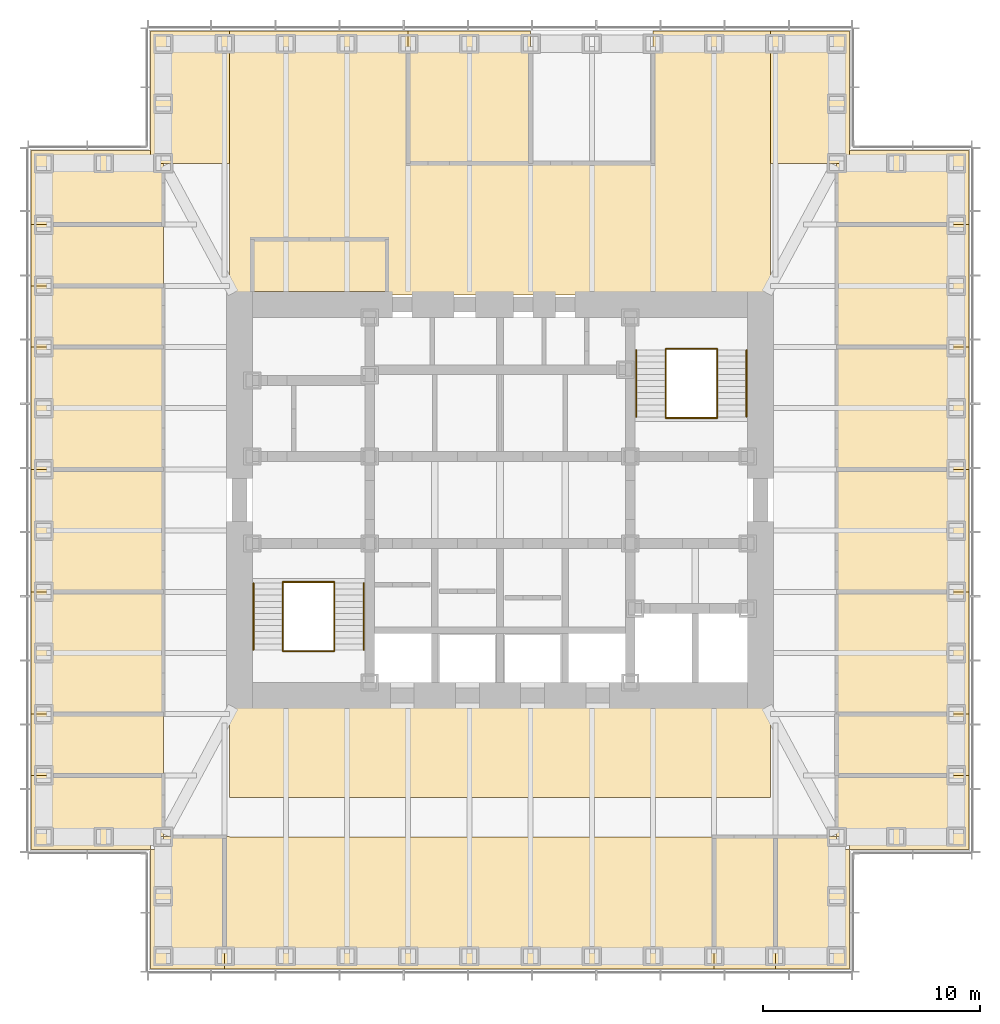
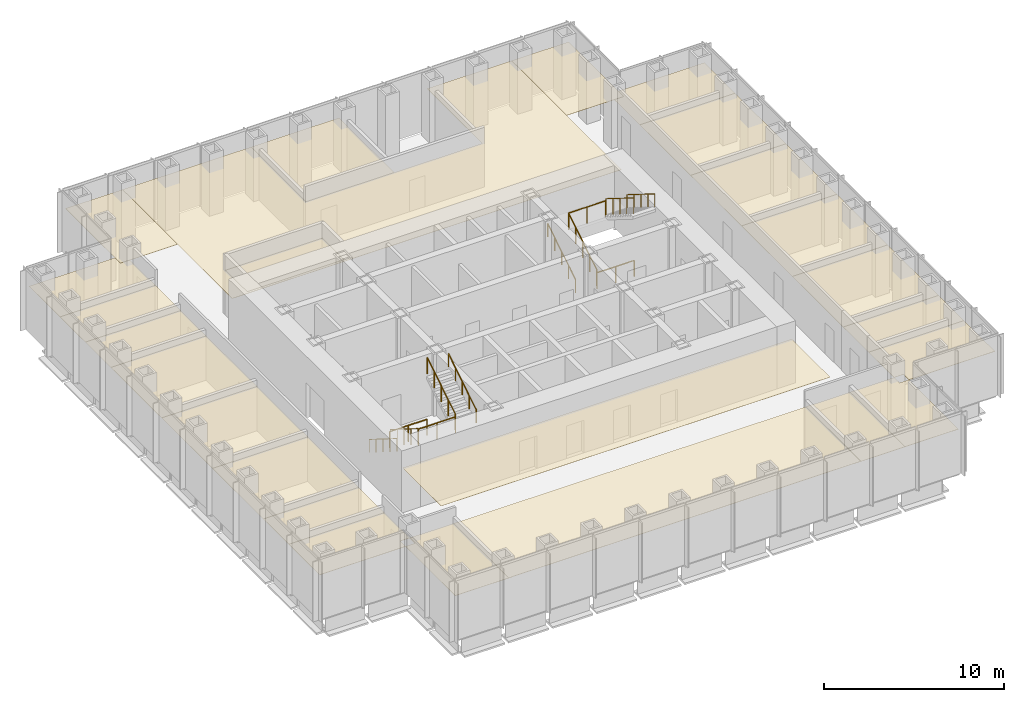
# One storey, part 17 of 17: 25 coverings, 12 railings.
"""IFC4 building model written with IfcOpenShell, lengths in metres."""

import ifcopenshell
import ifcopenshell.guid

model = None  # the IFC model being written
_history = None  # IfcOwnerHistory: only IFC2X3 demands one
_inside = {}  # id of a spatial element -> (the spatial element, [elements in it])
_under = {}  # id of a project, library or spatial element -> (it, [spatial elements below it])
_declared = {}  # id of a project -> (the project, [libraries it declares])
_typed = {}  # id of a type object -> (the type object, [elements of that type])
_made_of = {}  # id of a material, layer set ... -> (it, [elements and type objects made of it])


def new_model(schema):
    """Start an empty IFC model of exactly this schema.

    Asked for "IFC4X3", IfcOpenShell would pick the latest addendum, in which some entities
    have other attributes; the version numbers below select the first issue.
    IFC2X3 requires an IfcOwnerHistory on every rooted entity: one is made here for all.
    """
    global model, _history
    if schema == "IFC4X3":
        model = ifcopenshell.file(schema_version=(4, 3, 0, 0))
    else:
        model = ifcopenshell.file(schema=schema)
    _inside.clear()
    _under.clear()
    _declared.clear()
    _typed.clear()
    _made_of.clear()
    _history = None
    if model.schema == "IFC2X3":
        org = make("IfcOrganization", Name="unknown")
        user = make(
            "IfcPersonAndOrganization",
            ThePerson=make("IfcPerson", FamilyName="unknown"),
            TheOrganization=org,
        )
        app = make(
            "IfcApplication",
            ApplicationDeveloper=org,
            Version="unknown",
            ApplicationFullName="unknown",
            ApplicationIdentifier="unknown",
        )
        _history = make(
            "IfcOwnerHistory",
            OwningUser=user,
            OwningApplication=app,
            ChangeAction="ADDED",
            CreationDate=0,
        )
    return model


def make(cls, **values):
    """One entity of the class cls with the attributes given. An attribute that is None is left unset."""
    return model.create_entity(
        cls, **{name: value for name, value in values.items() if value is not None}
    )


def rooted(cls, **values):
    """An entity with a GlobalId (a new one), such as an element, a storey or a relation."""
    return make(cls, GlobalId=ifcopenshell.guid.new(), OwnerHistory=_history, **values)


def si_unit(unit_type, name, prefix=None):
    """IfcSIUnit, for example si_unit("LENGTHUNIT", "METRE", prefix="MILLI")."""
    return make("IfcSIUnit", UnitType=unit_type, Prefix=prefix, Name=name)


def assignment(units):
    """IfcUnitAssignment: the units of a project."""
    return None if units is None else make("IfcUnitAssignment", Units=units)


def point(xyz):
    """IfcCartesianPoint."""
    return None if xyz is None else make("IfcCartesianPoint", Coordinates=xyz)


def direction(xyz):
    """IfcDirection."""
    return None if xyz is None else make("IfcDirection", DirectionRatios=xyz)


def frame(location, z_axis=None, x_axis=None):
    """IfcAxis2Placement3D, a coordinate frame: its origin and axes. An axis left out is left unset."""
    return make(
        "IfcAxis2Placement3D",
        Location=point(location),
        Axis=direction(z_axis),
        RefDirection=direction(x_axis),
    )


def frame_2d(location, x_axis=None):
    """IfcAxis2Placement2D, a coordinate frame in the plane: its origin and x axis."""
    return make(
        "IfcAxis2Placement2D", Location=point(location), RefDirection=direction(x_axis)
    )


def origin():
    """The frame at (0, 0, 0) with its axes left unset."""
    return frame((0.0, 0.0, 0.0))


def origin_2d():
    """The frame at (0, 0) in the plane with its x axis left unset."""
    return frame_2d((0.0, 0.0))


def place(relative_to, where):
    """IfcLocalPlacement: puts the frame where relative to a parent placement (None: the world)."""
    return make(
        "IfcLocalPlacement", PlacementRelTo=relative_to, RelativePlacement=where
    )


def context(
    kind, dimensions, precision=None, world=None, true_north=None, identifier=None
):
    """IfcGeometricRepresentationContext, for example the 3D "Model" context."""
    return make(
        "IfcGeometricRepresentationContext",
        ContextIdentifier=identifier,
        ContextType=kind,
        CoordinateSpaceDimension=dimensions,
        Precision=precision,
        WorldCoordinateSystem=world,
        TrueNorth=true_north,
    )


def subcontext(parent, identifier, kind, view, scale=None):
    """IfcGeometricRepresentationSubContext, for example "Body" below "Model"."""
    return make(
        "IfcGeometricRepresentationSubContext",
        ContextIdentifier=identifier,
        ContextType=kind,
        ParentContext=parent,
        TargetScale=scale,
        TargetView=view,
    )


def project(units=None, contexts=None):
    """IfcProject with its units and contexts."""
    return rooted(
        "IfcProject",
        Name="project",
        RepresentationContexts=contexts,
        UnitsInContext=assignment(units),
    )


def spatial(cls, under=None, at=None, **own):
    """A site, building, storey or space (cls), placed at a placement, below another one or the project."""
    s = rooted(cls, ObjectPlacement=at, **own)
    if under is not None:
        _under.setdefault(under.id(), (under, []))[1].append(s)
    return s


def polyline(points):
    """IfcPolyline through the points."""
    return make("IfcPolyline", Points=[point(p) for p in points])


def profile(cls, at=None, kind="AREA", **sizes):
    """A parametric profile (cls). Its sizes go by their IFC names, for example OverallWidth=200.0."""
    return make(cls, ProfileType=kind, Position=at, **sizes)


def circle(**sizes):
    """IfcCircleProfileDef."""
    return profile("IfcCircleProfileDef", **sizes)


def outline(outer, holes=None, kind="AREA"):
    """IfcArbitraryClosedProfileDef: a profile drawn as a closed curve; with holes, ...WithVoids."""
    if holes is None:
        return make("IfcArbitraryClosedProfileDef", ProfileType=kind, OuterCurve=outer)
    return make(
        "IfcArbitraryProfileDefWithVoids",
        ProfileType=kind,
        OuterCurve=outer,
        InnerCurves=holes,
    )


def extrude(swept, where, along, depth):
    """IfcExtrudedAreaSolid: the profile swept, set in the frame where, extruded along a direction by depth."""
    return make(
        "IfcExtrudedAreaSolid",
        SweptArea=swept,
        Position=where,
        ExtrudedDirection=direction(along),
        Depth=depth,
    )


def shape(context_of_items, identifier, shape_type, items):
    """IfcShapeRepresentation: the items that make up one representation, for example the "Body"."""
    return make(
        "IfcShapeRepresentation",
        ContextOfItems=context_of_items,
        RepresentationIdentifier=identifier,
        RepresentationType=shape_type,
        Items=items,
    )


def material(Name=None, Category=None):
    """IfcMaterial."""
    return make("IfcMaterial", Name=Name, Category=Category)


def layer(
    of_material, thickness, ventilated=None, Name=None, Category=None, Priority=None
):
    """IfcMaterialLayer: one layer of a wall or slab, of a material (None: an air gap)."""
    return make(
        "IfcMaterialLayer",
        Material=of_material,
        LayerThickness=thickness,
        IsVentilated=ventilated,
        Name=Name,
        Category=Category,
        Priority=Priority,
    )


def layer_set(layers, Name=None):
    """IfcMaterialLayerSet."""
    return make("IfcMaterialLayerSet", MaterialLayers=layers, LayerSetName=Name)


def made_of(thing, what):
    """Note that an element or type object is made of a material, layer set ...; save() writes the relation."""
    if what is not None:
        _made_of.setdefault(what.id(), (what, []))[1].append(thing)
    return thing


def type_object(cls, material=None, **own):
    """A type object (cls), such as IfcWallType, which elements share."""
    return made_of(rooted(cls, **own), material)


def element(
    cls,
    number,
    at=None,
    inside=None,
    cuts=None,
    type_object=None,
    material=None,
    context=None,
    identifier="Body",
    shape_type=None,
    held_by="IfcProductDefinitionShape",
    body=None,
    shapes=None,
    **own,
):
    """One element of the class cls, such as IfcWall. Its Tag is "e" and its number.

    at: its placement. inside: the storey or other place that contains it. cuts: it is an
    opening in that element (IfcRelVoidsElement). A single representation is given by context,
    identifier, shape_type and body (its items); several are given by shapes. held_by: the class
    of the entity that holds the representations. save() writes the other relations.
    """
    e = rooted(cls, Tag="e%d" % number, ObjectPlacement=at, **own)
    if body is not None:
        shapes = [shape(context, identifier, shape_type, body)]
    if shapes is not None:
        e.Representation = make(held_by, Representations=shapes)
    if inside is not None:
        _inside.setdefault(inside.id(), (inside, []))[1].append(e)
    if cuts is not None:
        rooted(
            "IfcRelVoidsElement", RelatingBuildingElement=cuts, RelatedOpeningElement=e
        )
    if type_object is not None:
        _typed.setdefault(type_object.id(), (type_object, []))[1].append(e)
    return made_of(e, material)


def aggregate(whole, parts):
    """IfcRelAggregates: a whole, such as a stair, and the parts it consists of."""
    return rooted("IfcRelAggregates", RelatingObject=whole, RelatedObjects=parts)


def save(model, path):
    """Write the relations noted so far, then the file.

    IfcRelAggregates (storeys below a building ...), IfcRelContainedInSpatialStructure (elements
    in a storey), IfcRelDefinesByType, IfcRelAssociatesMaterial and IfcRelDeclares: one each for
    every whole, place, type object, material and project.
    """
    for whole, parts in _under.values():
        aggregate(whole, parts)
    for where, things in _inside.values():
        rooted(
            "IfcRelContainedInSpatialStructure",
            RelatedElements=things,
            RelatingStructure=where,
        )
    for kind, things in _typed.values():
        rooted("IfcRelDefinesByType", RelatedObjects=things, RelatingType=kind)
    for what, things in _made_of.values():
        rooted("IfcRelAssociatesMaterial", RelatedObjects=things, RelatingMaterial=what)
    for by, libraries in _declared.values():
        rooted("IfcRelDeclares", RelatingContext=by, RelatedDefinitions=libraries)
    model.write(path)


model = new_model("IFC4")

# Units and contexts
model_context = context("Model", 3, precision=1e-05, world=origin(), true_north=direction((0.0, 1.0)))
body_context = subcontext(model_context, "Body", "Model", "MODEL_VIEW")
ifc_project = project(units=[si_unit("LENGTHUNIT", "METRE"), si_unit("AREAUNIT", "SQUARE_METRE"), si_unit("VOLUMEUNIT", "CUBIC_METRE"), si_unit("PLANEANGLEUNIT", "RADIAN"), si_unit("MASSUNIT", "GRAM", prefix="KILO")], contexts=[model_context])

# Site, building, storey
site_placement = place(None, origin())
site = spatial("IfcSite", under=ifc_project, at=site_placement, CompositionType="ELEMENT")
building_placement = place(site_placement, origin())
building = spatial("IfcBuilding", under=site, at=building_placement, Name="Daluyong Arena Tower", CompositionType="ELEMENT")
storey_placement = place(building_placement, frame((0.0, 0.0, 193.89990234375)))
storey = spatial("IfcBuildingStorey", under=building, at=storey_placement, Name="L43", CompositionType="ELEMENT", Elevation=193.89990234375)

# Coverings
ifc_material_1 = material(Name="Mineral fibre ceiling tile", Category="gypsum board")
ifc_layer = layer(ifc_material_1, 0.02001953125)
ifc_layer_set = layer_set([ifc_layer], Name="Mineral fibre ceiling tile")
covering_type = type_object("IfcCoveringType", Name="Office ceiling", PredefinedType="CEILING", material=ifc_layer_set)
covering_1_placement = place(storey_placement, frame((0.0, 0.0, 2.900146484375)))
element("IfcCovering", 1, at=covering_1_placement, inside=storey, type_object=covering_type, Name="ceiling L43-01", PredefinedType="CEILING", context=body_context, shape_type="SweptSolid", body=[
    extrude(outline(polyline([(39.89990234375, 63.89990234375), (39.89990234375, 58.39990234375), (43.318115234375, 58.39990234375), (43.318115234375, 64.5), (40.5, 64.5), (40.5, 63.89990234375), (39.89990234375, 63.89990234375)])), origin(), (0.0, 0.0, 1.0), 0.02001953125),
])
covering_2_placement = place(storey_placement, frame((0.0, 0.0, 2.900146484375)))
element("IfcCovering", 2, at=covering_2_placement, inside=storey, type_object=covering_type, Name="ceiling L43-02", PredefinedType="CEILING", context=body_context, shape_type="SweptSolid", body=[
    extrude(outline(polyline([(65.863525390625, 64.5), (65.863525390625, 58.39990234375), (68.681884765625, 58.39990234375), (68.681884765625, 64.5), (65.863525390625, 64.5)])), origin(), (0.0, 0.0, 1.0), 0.02001953125),
])
covering_3_placement = place(storey_placement, frame((0.0, 0.0, 2.900146484375)))
element("IfcCovering", 3, at=covering_3_placement, inside=storey, type_object=covering_type, Name="ceiling L43-03", PredefinedType="CEILING", context=body_context, shape_type="SweptSolid", body=[
    extrude(outline(polyline([(72.10009765625, 58.39990234375), (72.10009765625, 63.89990234375), (71.5, 63.89990234375), (71.5, 64.5), (68.681884765625, 64.5), (68.681884765625, 58.39990234375), (72.10009765625, 58.39990234375)])), origin(), (0.0, 0.0, 1.0), 0.02001953125),
])
covering_4_placement = place(storey_placement, frame((0.0, 0.0, 2.900146484375)))
element("IfcCovering", 4, at=covering_4_placement, inside=storey, type_object=covering_type, Name="ceiling L43-04", PredefinedType="CEILING", context=body_context, shape_type="SweptSolid", body=[
    extrude(outline(polyline([(72.10009765625, 63.89990234375), (77.60009765625, 63.89990234375), (77.60009765625, 67.318115234375), (71.5, 67.318115234375), (71.5, 64.5), (72.10009765625, 64.5), (72.10009765625, 63.89990234375)])), origin(), (0.0, 0.0, 1.0), 0.02001953125),
])
covering_5_placement = place(storey_placement, frame((0.0, 0.0, 2.900146484375)))
element("IfcCovering", 5, at=covering_5_placement, inside=storey, type_object=covering_type, Name="ceiling L43-05", PredefinedType="CEILING", context=body_context, shape_type="SweptSolid", body=[
    extrude(outline(polyline([(71.5, 67.318115234375), (77.60009765625, 67.318115234375), (77.60009765625, 70.136474609375), (71.5, 70.136474609375), (71.5, 67.318115234375)])), origin(), (0.0, 0.0, 1.0), 0.02001953125),
])
covering_6_placement = place(storey_placement, frame((0.0, 0.0, 2.900146484375)))
element("IfcCovering", 6, at=covering_6_placement, inside=storey, type_object=covering_type, Name="ceiling L43-06", PredefinedType="CEILING", context=body_context, shape_type="SweptSolid", body=[
    extrude(outline(polyline([(71.5, 70.136474609375), (77.60009765625, 70.136474609375), (77.60009765625, 75.772705078125), (71.5, 75.772705078125), (71.5, 70.136474609375)])), origin(), (0.0, 0.0, 1.0), 0.02001953125),
])
covering_7_placement = place(storey_placement, frame((0.0, 0.0, 2.900146484375)))
element("IfcCovering", 7, at=covering_7_placement, inside=storey, type_object=covering_type, Name="ceiling L43-07", PredefinedType="CEILING", context=body_context, shape_type="SweptSolid", body=[
    extrude(outline(polyline([(71.5, 75.772705078125), (77.60009765625, 75.772705078125), (77.60009765625, 81.4091796875), (71.5, 81.4091796875), (71.5, 75.772705078125)])), origin(), (0.0, 0.0, 1.0), 0.02001953125),
])
covering_8_placement = place(storey_placement, frame((0.0, 0.0, 2.900146484375)))
element("IfcCovering", 8, at=covering_8_placement, inside=storey, type_object=covering_type, Name="ceiling L43-08", PredefinedType="CEILING", context=body_context, shape_type="SweptSolid", body=[
    extrude(outline(polyline([(71.5, 81.4091796875), (77.60009765625, 81.4091796875), (77.60009765625, 87.04541015625), (71.5, 87.04541015625), (71.5, 81.4091796875)])), origin(), (0.0, 0.0, 1.0), 0.02001953125),
])
covering_9_placement = place(storey_placement, frame((0.0, 0.0, 2.900146484375)))
element("IfcCovering", 9, at=covering_9_placement, inside=storey, type_object=covering_type, Name="ceiling L43-09", PredefinedType="CEILING", context=body_context, shape_type="SweptSolid", body=[
    extrude(outline(polyline([(71.5, 87.04541015625), (77.60009765625, 87.04541015625), (77.60009765625, 92.681884765625), (71.5, 92.681884765625), (71.5, 87.04541015625)])), origin(), (0.0, 0.0, 1.0), 0.02001953125),
])
covering_10_placement = place(storey_placement, frame((0.0, 0.0, 2.900146484375)))
element("IfcCovering", 10, at=covering_10_placement, inside=storey, type_object=covering_type, Name="ceiling L43-10", PredefinedType="CEILING", context=body_context, shape_type="SweptSolid", body=[
    extrude(outline(polyline([(71.5, 92.681884765625), (77.60009765625, 92.681884765625), (77.60009765625, 96.10009765625), (72.10009765625, 96.10009765625), (72.10009765625, 95.5), (71.5, 95.5), (71.5, 92.681884765625)])), origin(), (0.0, 0.0, 1.0), 0.02001953125),
])
covering_11_placement = place(storey_placement, frame((0.0, 0.0, 2.900146484375)))
element("IfcCovering", 11, at=covering_11_placement, inside=storey, type_object=covering_type, Name="ceiling L43-11", PredefinedType="CEILING", context=body_context, shape_type="SweptSolid", body=[
    extrude(outline(polyline([(57.4091796875, 95.5), (57.4091796875, 101.60009765625), (51.772705078125, 101.60009765625), (51.772705078125, 95.5), (57.4091796875, 95.5)])), origin(), (0.0, 0.0, 1.0), 0.02001953125),
])
covering_12_placement = place(storey_placement, frame((0.0, 0.0, 2.900146484375)))
element("IfcCovering", 12, at=covering_12_placement, inside=storey, type_object=covering_type, Name="ceiling L43-13", PredefinedType="CEILING", context=body_context, shape_type="SweptSolid", body=[
    extrude(outline(polyline([(34.39990234375, 63.89990234375), (39.89990234375, 63.89990234375), (39.89990234375, 64.5), (40.5, 64.5), (40.5, 67.318115234375), (34.39990234375, 67.318115234375), (34.39990234375, 63.89990234375)])), origin(), (0.0, 0.0, 1.0), 0.02001953125),
])
covering_13_placement = place(storey_placement, frame((0.0, 0.0, 2.900146484375)))
element("IfcCovering", 13, at=covering_13_placement, inside=storey, type_object=covering_type, Name="ceiling L43-14", PredefinedType="CEILING", context=body_context, shape_type="SweptSolid", body=[
    extrude(outline(polyline([(40.5, 75.772705078125), (34.39990234375, 75.772705078125), (34.39990234375, 70.136474609375), (40.5, 70.136474609375), (40.5, 75.772705078125)])), origin(), (0.0, 0.0, 1.0), 0.02001953125),
])
covering_14_placement = place(storey_placement, frame((0.0, 0.0, 2.900146484375)))
element("IfcCovering", 14, at=covering_14_placement, inside=storey, type_object=covering_type, Name="ceiling L43-15", PredefinedType="CEILING", context=body_context, shape_type="SweptSolid", body=[
    extrude(outline(polyline([(40.5, 81.4091796875), (34.39990234375, 81.4091796875), (34.39990234375, 75.772705078125), (40.5, 75.772705078125), (40.5, 81.4091796875)])), origin(), (0.0, 0.0, 1.0), 0.02001953125),
])
covering_15_placement = place(storey_placement, frame((0.0, 0.0, 2.900146484375)))
element("IfcCovering", 15, at=covering_15_placement, inside=storey, type_object=covering_type, Name="ceiling L43-16", PredefinedType="CEILING", context=body_context, shape_type="SweptSolid", body=[
    extrude(outline(polyline([(40.5, 87.04541015625), (34.39990234375, 87.04541015625), (34.39990234375, 81.4091796875), (40.5, 81.4091796875), (40.5, 87.04541015625)])), origin(), (0.0, 0.0, 1.0), 0.02001953125),
])
covering_16_placement = place(storey_placement, frame((0.0, 0.0, 2.900146484375)))
element("IfcCovering", 16, at=covering_16_placement, inside=storey, type_object=covering_type, Name="ceiling L43-17", PredefinedType="CEILING", context=body_context, shape_type="SweptSolid", body=[
    extrude(outline(polyline([(40.5, 89.863525390625), (34.39990234375, 89.863525390625), (34.39990234375, 87.04541015625), (40.5, 87.04541015625), (40.5, 89.863525390625)])), origin(), (0.0, 0.0, 1.0), 0.02001953125),
])
covering_17_placement = place(storey_placement, frame((0.0, 0.0, 2.900146484375)))
element("IfcCovering", 17, at=covering_17_placement, inside=storey, type_object=covering_type, Name="ceiling L43-18", PredefinedType="CEILING", context=body_context, shape_type="SweptSolid", body=[
    extrude(outline(polyline([(40.5, 92.681884765625), (40.5, 95.5), (39.89990234375, 95.5), (39.89990234375, 96.10009765625), (34.39990234375, 96.10009765625), (34.39990234375, 92.681884765625), (40.5, 92.681884765625)])), origin(), (0.0, 0.0, 1.0), 0.02001953125),
])
covering_18_placement = place(storey_placement, frame((0.0, 0.0, 2.900146484375)))
element("IfcCovering", 18, at=covering_18_placement, inside=storey, type_object=covering_type, Name="ceiling L43-19", PredefinedType="CEILING", context=body_context, shape_type="SweptSolid", body=[
    extrude(outline(polyline([(44.60009765625, 89.60009765625), (50.800048828125, 89.60009765625), (50.800048828125, 92.0), (44.60009765625, 92.0), (44.60009765625, 89.60009765625)])), origin(), (0.0, 0.0, 1.0), 0.02001953125),
])
covering_19_placement = place(storey_placement, frame((0.0, 0.0, 2.900146484375)))
element("IfcCovering", 19, at=covering_19_placement, inside=storey, type_object=covering_type, Name="ceiling L43-23", PredefinedType="CEILING", context=body_context, shape_type="SweptSolid", body=[
    extrude(outline(polyline([(43.318115234375, 58.39990234375), (43.5498046875, 58.39990234375), (43.550537109375, 58.409912109375), (65.853515625, 58.409912109375), (65.853515625, 64.489990234375), (43.550537109375, 64.489990234375), (43.5498046875, 64.5), (43.318115234375, 64.5), (43.318115234375, 58.39990234375)])), origin(), (0.0, 0.0, 1.0), 0.02001953125),
])
covering_20_placement = place(storey_placement, frame((0.0, 0.0, 2.900146484375)))
element("IfcCovering", 20, at=covering_20_placement, inside=storey, type_object=covering_type, Name="ceiling L43-24", PredefinedType="CEILING", context=body_context, shape_type="SweptSolid", body=[
    extrude(outline(polyline([(68.449951171875, 70.550048828125), (43.550048828125, 70.550048828125), (43.550048828125, 66.300048828125), (68.449951171875, 66.300048828125), (68.449951171875, 70.550048828125)])), origin(), (0.0, 0.0, 1.0), 0.02001953125),
])
covering_21_placement = place(storey_placement, frame((0.0, 0.0, 2.900146484375)))
element("IfcCovering", 21, at=covering_21_placement, inside=storey, type_object=covering_type, Name="ceiling L43-25", PredefinedType="CEILING", context=body_context, shape_type="SweptSolid", body=[
    extrude(outline(polyline([(72.10009765625, 101.60009765625), (68.449951171875, 101.60009765625), (68.449951171875, 95.5), (72.10009765625, 95.5), (72.10009765625, 101.60009765625)])), origin(), (0.0, 0.0, 1.0), 0.02001953125),
])
covering_22_placement = place(storey_placement, frame((0.0, 0.0, 2.900146484375)))
element("IfcCovering", 22, at=covering_22_placement, inside=storey, type_object=covering_type, Name="ceiling L43-26", PredefinedType="CEILING", context=body_context, shape_type="SweptSolid", body=[
    extrude(outline(polyline([(51.772705078125, 101.60009765625), (43.550048828125, 101.60009765625), (43.550048828125, 89.449951171875), (68.449951171875, 89.449951171875), (68.449951171875, 101.60009765625), (63.04541015625, 101.60009765625), (63.04541015625, 95.5), (51.772705078125, 95.5), (51.772705078125, 101.60009765625)]), holes=[polyline([(50.800048828125, 89.60009765625), (44.60009765625, 89.60009765625), (44.60009765625, 92.0), (50.800048828125, 92.0), (50.800048828125, 89.60009765625)])]), origin(), (0.0, 0.0, 1.0), 0.02001953125),
])
covering_23_placement = place(storey_placement, frame((0.0, 0.0, 2.900146484375)))
element("IfcCovering", 23, at=covering_23_placement, inside=storey, type_object=covering_type, Name="ceiling L43-27", PredefinedType="CEILING", context=body_context, shape_type="SweptSolid", body=[
    extrude(outline(polyline([(34.39990234375, 70.136474609375), (34.39990234375, 67.318115234375), (40.5, 67.318115234375), (40.5, 70.136474609375), (34.39990234375, 70.136474609375)])), origin(), (0.0, 0.0, 1.0), 0.02001953125),
])
covering_24_placement = place(storey_placement, frame((0.0, 0.0, 2.900146484375)))
element("IfcCovering", 24, at=covering_24_placement, inside=storey, type_object=covering_type, Name="ceiling L43-28", PredefinedType="CEILING", context=body_context, shape_type="SweptSolid", body=[
    extrude(outline(polyline([(40.5, 89.863525390625), (40.5, 92.681884765625), (34.39990234375, 92.681884765625), (34.39990234375, 89.863525390625), (40.5, 89.863525390625)])), origin(), (0.0, 0.0, 1.0), 0.02001953125),
])
covering_25_placement = place(storey_placement, frame((0.0, 0.0, 2.900146484375)))
element("IfcCovering", 25, at=covering_25_placement, inside=storey, type_object=covering_type, Name="ceiling L43-29", PredefinedType="CEILING", context=body_context, shape_type="SweptSolid", body=[
    extrude(outline(polyline([(43.550048828125, 101.60009765625), (39.89990234375, 101.60009765625), (39.89990234375, 95.5), (43.550048828125, 95.5), (43.550048828125, 101.60009765625)])), origin(), (0.0, 0.0, 1.0), 0.02001953125),
])

# Railings
ifc_material_2 = material(Name="Stainless steel handrail", Category="steel")
railing_type_1 = type_object("IfcRailingType", Name="Stair handrail", PredefinedType="HANDRAIL", material=ifc_material_2)
railing_1_placement = place(storey_placement, frame((44.64990234375, 76.175048828125, 0.175048828125)))
element("IfcRailing", 26, at=railing_1_placement, inside=storey, type_object=railing_type_1, Name="exit stair A handrail L43", PredefinedType="HANDRAIL", context=body_context, shape_type="SweptSolid", body=[
    extrude(circle(Radius=0.02392578125, at=origin_2d()), frame((0.0, 0.0, 0.8759765625), z_axis=(0.0, -0.847998304005, 0.529998940003), x_axis=(1.0, 0.0, 0.0)), (0.0, 0.0, 1.0), 3.632080078125),
    extrude(circle(Radius=0.02099609375, at=origin_2d()), origin(), (0.0, 0.0, 1.0), 0.851806640625),
    extrude(circle(Radius=0.02099609375, at=origin_2d()), frame((0.0, -0.77001953125, 0.481201171875)), (0.0, 0.0, 1.0), 0.851806640625),
    extrude(circle(Radius=0.02099609375, at=origin_2d()), frame((0.0, -1.5400390625, 0.96240234375)), (0.0, 0.0, 1.0), 0.851806640625),
    extrude(circle(Radius=0.02099609375, at=origin_2d()), frame((0.0, -2.31005859375, 1.44384765625)), (0.0, 0.0, 1.0), 0.851806640625),
    extrude(circle(Radius=0.02099609375, at=origin_2d()), frame((0.0, -3.080078125, 1.925048828125)), (0.0, 0.0, 1.0), 0.851806640625),
])
for number, where, name in (
    (27, (49.72509765625, 73.094970703125, 2.275146484375), "exit stair A handrail L43"),
    (28, (62.27490234375, 83.824951171875, 0.175048828125), "exit stair B handrail L43"),
):
    element("IfcRailing", number, at=place(storey_placement, frame(where)), inside=storey, type_object=railing_type_1, Name=name, PredefinedType="HANDRAIL", context=body_context, shape_type="SweptSolid", body=[
        extrude(circle(Radius=0.02392578125, at=origin_2d()), frame((0.0, 0.0, 0.8759765625), z_axis=(0.0, 0.847998304005, 0.529998940003), x_axis=(-1.0, 0.0, 0.0)), (0.0, 0.0, 1.0), 3.632080078125),
        extrude(circle(Radius=0.02099609375, at=origin_2d()), origin(), (0.0, 0.0, 1.0), 0.851806640625),
        extrude(circle(Radius=0.02099609375, at=origin_2d()), frame((0.0, 0.77001953125, 0.481201171875)), (0.0, 0.0, 1.0), 0.851806640625),
        extrude(circle(Radius=0.02099609375, at=origin_2d()), frame((0.0, 1.5400390625, 0.96240234375)), (0.0, 0.0, 1.0), 0.851806640625),
        extrude(circle(Radius=0.02099609375, at=origin_2d()), frame((0.0, 2.31005859375, 1.44384765625)), (0.0, 0.0, 1.0), 0.851806640625),
        extrude(circle(Radius=0.02099609375, at=origin_2d()), frame((0.0, 3.080078125, 1.925048828125)), (0.0, 0.0, 1.0), 0.851806640625),
    ])
railing_2_placement = place(storey_placement, frame((67.35009765625, 86.905029296875, 2.275146484375)))
element("IfcRailing", 29, at=railing_2_placement, inside=storey, type_object=railing_type_1, Name="exit stair B handrail L43", PredefinedType="HANDRAIL", context=body_context, shape_type="SweptSolid", body=[
    extrude(circle(Radius=0.02392578125, at=origin_2d()), frame((0.0, 0.0, 0.8759765625), z_axis=(0.0, -0.847998304005, 0.529998940003), x_axis=(1.0, 0.0, 0.0)), (0.0, 0.0, 1.0), 3.632080078125),
    extrude(circle(Radius=0.02099609375, at=origin_2d()), origin(), (0.0, 0.0, 1.0), 0.851806640625),
    extrude(circle(Radius=0.02099609375, at=origin_2d()), frame((0.0, -0.77001953125, 0.481201171875)), (0.0, 0.0, 1.0), 0.851806640625),
    extrude(circle(Radius=0.02099609375, at=origin_2d()), frame((0.0, -1.5400390625, 0.96240234375)), (0.0, 0.0, 1.0), 0.851806640625),
    extrude(circle(Radius=0.02099609375, at=origin_2d()), frame((0.0, -2.31005859375, 1.44384765625)), (0.0, 0.0, 1.0), 0.851806640625),
    extrude(circle(Radius=0.02099609375, at=origin_2d()), frame((0.0, -3.080078125, 1.925048828125)), (0.0, 0.0, 1.0), 0.851806640625),
])
ifc_material_3 = material(Name="Steel balustrade", Category="steel")
railing_type_2 = type_object("IfcRailingType", Name="Stair well guard 1100", PredefinedType="GUARDRAIL", material=ifc_material_3)
railing_3_placement = place(storey_placement, frame((46.0, 76.175048828125, 0.175048828125)))
element("IfcRailing", 30, at=railing_3_placement, inside=storey, type_object=railing_type_2, Name="exit stair A well guard L43", PredefinedType="GUARDRAIL", context=body_context, shape_type="SweptSolid", body=[
    extrude(circle(Radius=0.02392578125, at=origin_2d()), frame((0.0, 0.0, 1.076171875), z_axis=(0.0, -0.847998304005, 0.529998940003), x_axis=(1.0, 0.0, 0.0)), (0.0, 0.0, 1.0), 3.632080078125),
    extrude(circle(Radius=0.02099609375, at=origin_2d()), origin(), (0.0, 0.0, 1.0), 1.052001953125),
    extrude(circle(Radius=0.02099609375, at=origin_2d()), frame((0.0, -0.77001953125, 0.481201171875)), (0.0, 0.0, 1.0), 1.052001953125),
    extrude(circle(Radius=0.02099609375, at=origin_2d()), frame((0.0, -1.5400390625, 0.96240234375)), (0.0, 0.0, 1.0), 1.052001953125),
    extrude(circle(Radius=0.02099609375, at=origin_2d()), frame((0.0, -2.31005859375, 1.44384765625)), (0.0, 0.0, 1.0), 1.052001953125),
    extrude(circle(Radius=0.02099609375, at=origin_2d()), frame((0.0, -3.080078125, 1.925048828125)), (0.0, 0.0, 1.0), 1.052001953125),
])
railing_4_placement = place(storey_placement, frame((48.375, 73.094970703125, 2.275146484375)))
element("IfcRailing", 31, at=railing_4_placement, inside=storey, type_object=railing_type_2, Name="exit stair A well guard L43", PredefinedType="GUARDRAIL", context=body_context, shape_type="SweptSolid", body=[
    extrude(circle(Radius=0.02392578125, at=origin_2d()), frame((0.0, 0.0, 1.076171875), z_axis=(0.0, 0.847998304005, 0.529998940003), x_axis=(-1.0, 0.0, 0.0)), (0.0, 0.0, 1.0), 3.632080078125),
    extrude(circle(Radius=0.02099609375, at=origin_2d()), origin(), (0.0, 0.0, 1.0), 1.052001953125),
    extrude(circle(Radius=0.02099609375, at=origin_2d()), frame((0.0, 0.77001953125, 0.481201171875)), (0.0, 0.0, 1.0), 1.052001953125),
    extrude(circle(Radius=0.02099609375, at=origin_2d()), frame((0.0, 1.5400390625, 0.96240234375)), (0.0, 0.0, 1.0), 1.052001953125),
    extrude(circle(Radius=0.02099609375, at=origin_2d()), frame((0.0, 2.31005859375, 1.44384765625)), (0.0, 0.0, 1.0), 1.052001953125),
    extrude(circle(Radius=0.02099609375, at=origin_2d()), frame((0.0, 3.080078125, 1.925048828125)), (0.0, 0.0, 1.0), 1.052001953125),
])
for number, where, name in (
    (32, (46.0, 73.044921875, 2.10009765625), "exit stair A landing guard L43"),
    (33, (46.0, 76.22509765625, 0.0), "exit stair A floor landing guard L43"),
):
    element("IfcRailing", number, at=place(storey_placement, frame(where)), inside=storey, type_object=railing_type_2, Name=name, PredefinedType="GUARDRAIL", context=body_context, shape_type="SweptSolid", body=[
        extrude(circle(Radius=0.02392578125, at=origin_2d()), frame((0.0, 0.0, 1.076171875), z_axis=(1.0, 0.0, 0.0), x_axis=(0.0, 1.0, 0.0)), (0.0, 0.0, 1.0), 2.375),
        extrude(circle(Radius=0.02099609375, at=origin_2d()), origin(), (0.0, 0.0, 1.0), 1.052001953125),
        extrude(circle(Radius=0.02099609375, at=origin_2d()), frame((1.1875, 0.0, 0.0)), (0.0, 0.0, 1.0), 1.052001953125),
        extrude(circle(Radius=0.02099609375, at=origin_2d()), frame((2.375, 0.0, 0.0)), (0.0, 0.0, 1.0), 1.052001953125),
    ])
railing_5_placement = place(storey_placement, frame((63.625, 83.824951171875, 0.175048828125)))
element("IfcRailing", 34, at=railing_5_placement, inside=storey, type_object=railing_type_2, Name="exit stair B well guard L43", PredefinedType="GUARDRAIL", context=body_context, shape_type="SweptSolid", body=[
    extrude(circle(Radius=0.02392578125, at=origin_2d()), frame((0.0, 0.0, 1.076171875), z_axis=(0.0, 0.847998304005, 0.529998940003), x_axis=(-1.0, 0.0, 0.0)), (0.0, 0.0, 1.0), 3.632080078125),
    extrude(circle(Radius=0.02099609375, at=origin_2d()), origin(), (0.0, 0.0, 1.0), 1.052001953125),
    extrude(circle(Radius=0.02099609375, at=origin_2d()), frame((0.0, 0.77001953125, 0.481201171875)), (0.0, 0.0, 1.0), 1.052001953125),
    extrude(circle(Radius=0.02099609375, at=origin_2d()), frame((0.0, 1.5400390625, 0.96240234375)), (0.0, 0.0, 1.0), 1.052001953125),
    extrude(circle(Radius=0.02099609375, at=origin_2d()), frame((0.0, 2.31005859375, 1.44384765625)), (0.0, 0.0, 1.0), 1.052001953125),
    extrude(circle(Radius=0.02099609375, at=origin_2d()), frame((0.0, 3.080078125, 1.925048828125)), (0.0, 0.0, 1.0), 1.052001953125),
])
railing_6_placement = place(storey_placement, frame((66.0, 86.905029296875, 2.275146484375)))
element("IfcRailing", 35, at=railing_6_placement, inside=storey, type_object=railing_type_2, Name="exit stair B well guard L43", PredefinedType="GUARDRAIL", context=body_context, shape_type="SweptSolid", body=[
    extrude(circle(Radius=0.02392578125, at=origin_2d()), frame((0.0, 0.0, 1.076171875), z_axis=(0.0, -0.847998304005, 0.529998940003), x_axis=(1.0, 0.0, 0.0)), (0.0, 0.0, 1.0), 3.632080078125),
    extrude(circle(Radius=0.02099609375, at=origin_2d()), origin(), (0.0, 0.0, 1.0), 1.052001953125),
    extrude(circle(Radius=0.02099609375, at=origin_2d()), frame((0.0, -0.77001953125, 0.481201171875)), (0.0, 0.0, 1.0), 1.052001953125),
    extrude(circle(Radius=0.02099609375, at=origin_2d()), frame((0.0, -1.5400390625, 0.96240234375)), (0.0, 0.0, 1.0), 1.052001953125),
    extrude(circle(Radius=0.02099609375, at=origin_2d()), frame((0.0, -2.31005859375, 1.44384765625)), (0.0, 0.0, 1.0), 1.052001953125),
    extrude(circle(Radius=0.02099609375, at=origin_2d()), frame((0.0, -3.080078125, 1.925048828125)), (0.0, 0.0, 1.0), 1.052001953125),
])
for number, where, name in (
    (36, (63.625, 86.955078125, 2.10009765625), "exit stair B landing guard L43"),
    (37, (63.625, 83.77490234375, 0.0), "exit stair B floor landing guard L43"),
):
    element("IfcRailing", number, at=place(storey_placement, frame(where)), inside=storey, type_object=railing_type_2, Name=name, PredefinedType="GUARDRAIL", context=body_context, shape_type="SweptSolid", body=[
        extrude(circle(Radius=0.02392578125, at=origin_2d()), frame((0.0, 0.0, 1.076171875), z_axis=(1.0, 0.0, 0.0), x_axis=(0.0, 1.0, 0.0)), (0.0, 0.0, 1.0), 2.375),
        extrude(circle(Radius=0.02099609375, at=origin_2d()), origin(), (0.0, 0.0, 1.0), 1.052001953125),
        extrude(circle(Radius=0.02099609375, at=origin_2d()), frame((1.1875, 0.0, 0.0)), (0.0, 0.0, 1.0), 1.052001953125),
        extrude(circle(Radius=0.02099609375, at=origin_2d()), frame((2.375, 0.0, 0.0)), (0.0, 0.0, 1.0), 1.052001953125),
    ])

save(model, "model.ifc")
